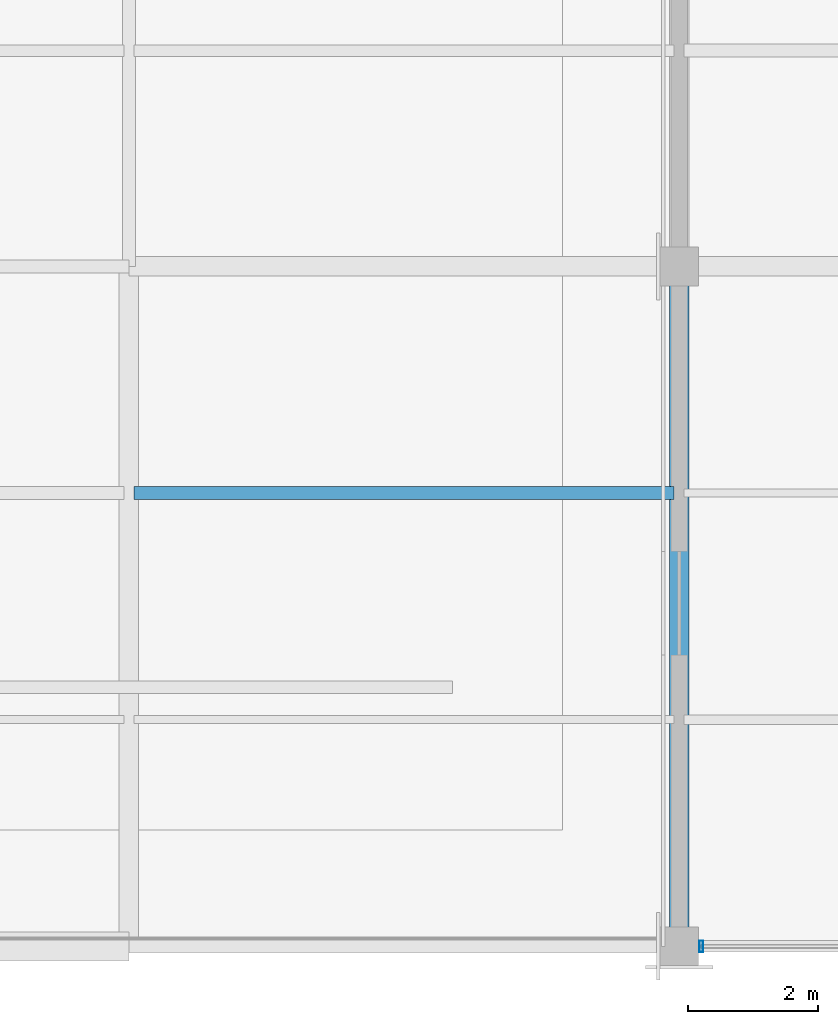
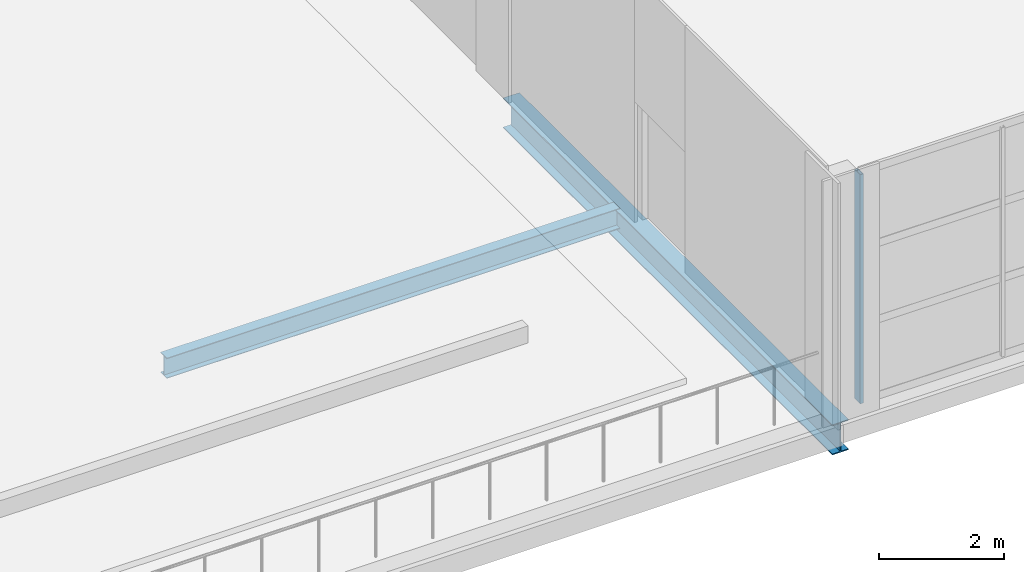
# One storey, part 6 of 46: 2 beams, 1 member, 1 element without a shape of its own.
"""IFC4 building model written with IfcOpenShell, lengths in metres."""

from ifc_helpers import new_model, si_unit, direction, frame, origin, origin_2d, place, context, subcontext, project, spatial, hollow_rectangle, i_section, extrude, material, material_profile, profile_set, type_object, element, aggregate, save


model = new_model("IFC4")

# Units and contexts
model_context = context("Model", 3, precision=1e-05, world=origin(), true_north=direction((0.0, 1.0)))
body_context = subcontext(model_context, "Body", "Model", "MODEL_VIEW")
ifc_project = project(units=[si_unit("LENGTHUNIT", "METRE"), si_unit("AREAUNIT", "SQUARE_METRE"), si_unit("VOLUMEUNIT", "CUBIC_METRE"), si_unit("PLANEANGLEUNIT", "RADIAN"), si_unit("MASSUNIT", "GRAM", prefix="KILO")], contexts=[model_context])

# Site, building, storey
site_placement = place(None, origin())
site = spatial("IfcSite", under=ifc_project, at=site_placement, CompositionType="ELEMENT")
building_placement = place(site_placement, origin())
building = spatial("IfcBuilding", under=site, at=building_placement, Name="Solvikara Media Centre", CompositionType="ELEMENT")
storey_placement = place(building_placement, frame((0.0, 0.0, 24.60009765625)))
storey = spatial("IfcBuildingStorey", under=building, at=storey_placement, Name="L05", CompositionType="ELEMENT", Elevation=24.60009765625)

# Beams
ifc_material_1 = material(Name="Steel S355JR", Category="steel")
ifc_material_profile_1 = material_profile(ifc_material_1, i_section(OverallWidth=0.300048828125, OverallDepth=0.587890625, WebThickness=0.011962890625, FlangeThickness=0.02001953125, at=origin_2d()), Name="H 588x300x12x20")
ifc_profile_set_1 = profile_set([ifc_material_profile_1], Name="Steel S355JR")
beam_type_1 = type_object("IfcBeamType", Name="BM-26", PredefinedType="BEAM", material=ifc_profile_set_1)
beam_1_placement = place(storey_placement, frame((51.0, 0.0, -0.576171875), z_axis=(0.0, 1.0, 0.0), x_axis=(-1.0, 0.0, 0.0)))
element("IfcBeam", 1, at=beam_1_placement, inside=storey, type_object=beam_type_1, Name="B-L05-Y1658", PredefinedType="BEAM", context=body_context, shape_type="SweptSolid", body=[
    extrude(i_section(OverallWidth=0.300048828125, OverallDepth=0.587890625, WebThickness=0.011962890625, FlangeThickness=0.02001953125, at=origin_2d()), origin(), (0.0, 0.0, 1.0), 10.5),
])
ifc_material_profile_2 = material_profile(ifc_material_1, i_section(OverallWidth=0.198974609375, OverallDepth=0.39599609375, WebThickness=0.007080078125, FlangeThickness=0.010986328125, at=origin_2d()), Name="WF 396x199x7x11")
ifc_profile_set_2 = profile_set([ifc_material_profile_2], Name="Steel S355JR")
beam_type_2 = type_object("IfcBeamType", Name="BM-37", PredefinedType="JOIST", material=ifc_profile_set_2)
beam_2_placement = place(storey_placement, frame((42.577880859375, 7.0, -0.47021484375), z_axis=(1.0, 0.0, 0.0), x_axis=(0.0, 1.0, 0.0)))
element("IfcBeam", 2, at=beam_2_placement, inside=storey, type_object=beam_type_2, Name="J-L05-1677", PredefinedType="JOIST", context=body_context, shape_type="SweptSolid", body=[
    extrude(i_section(OverallWidth=0.198974609375, OverallDepth=0.39599609375, WebThickness=0.007080078125, FlangeThickness=0.010986328125, at=origin_2d()), origin(), (0.0, 0.0, 1.0), 8.34423828125),
])

# Curtain wall, member
ifc_material_2 = material(Name="Anodised aluminium EN AW-6063", Category="aluminium")
curtain_wall_type = type_object("IfcCurtainWallType", Name="CW-09", PredefinedType="NOTDEFINED", material=ifc_material_2)
curtain_wall_placement = place(storey_placement, origin())
curtain_wall = element("IfcCurtainWall", 3, at=curtain_wall_placement, inside=storey, type_object=curtain_wall_type, Name="CW-L05-V6S-S1", PredefinedType="NOTDEFINED")
ifc_material_profile_3 = material_profile(ifc_material_2, hollow_rectangle(XDim=0.06005859375, YDim=0.179931640625, WallThickness=0.00341796875, at=origin_2d()), Name="ALU-M 60x180x3.5")
ifc_profile_set_3 = profile_set([ifc_material_profile_3], Name="Anodised aluminium EN AW-6063")
member_type = type_object("IfcMemberType", Name="MF-03", PredefinedType="MULLION", material=ifc_profile_set_3)
member_placement = place(storey_placement, frame((51.340087890625, 0.0, 0.02001953125), z_axis=(0.0, 0.0, 1.0), x_axis=(1.0, 0.0, 0.0)))
member = element("IfcMember", 4, at=member_placement, type_object=member_type, Name="CW-L05-V6S-S1-M00", PredefinedType="MULLION", context=body_context, shape_type="SweptSolid", body=[
    extrude(hollow_rectangle(XDim=0.06005859375, YDim=0.179931640625, WallThickness=0.00341796875, at=origin_2d()), origin(), (0.0, 0.0, 1.0), 4.4599609375),
])
aggregate(curtain_wall, [member])

save(model, "model.ifc")
